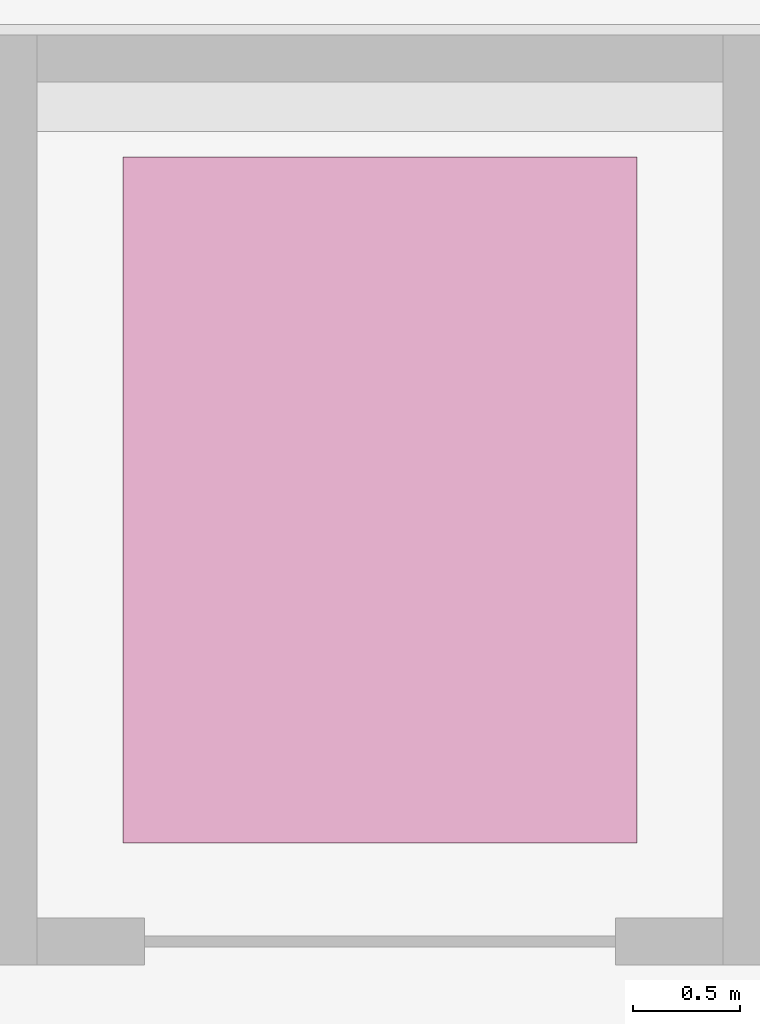
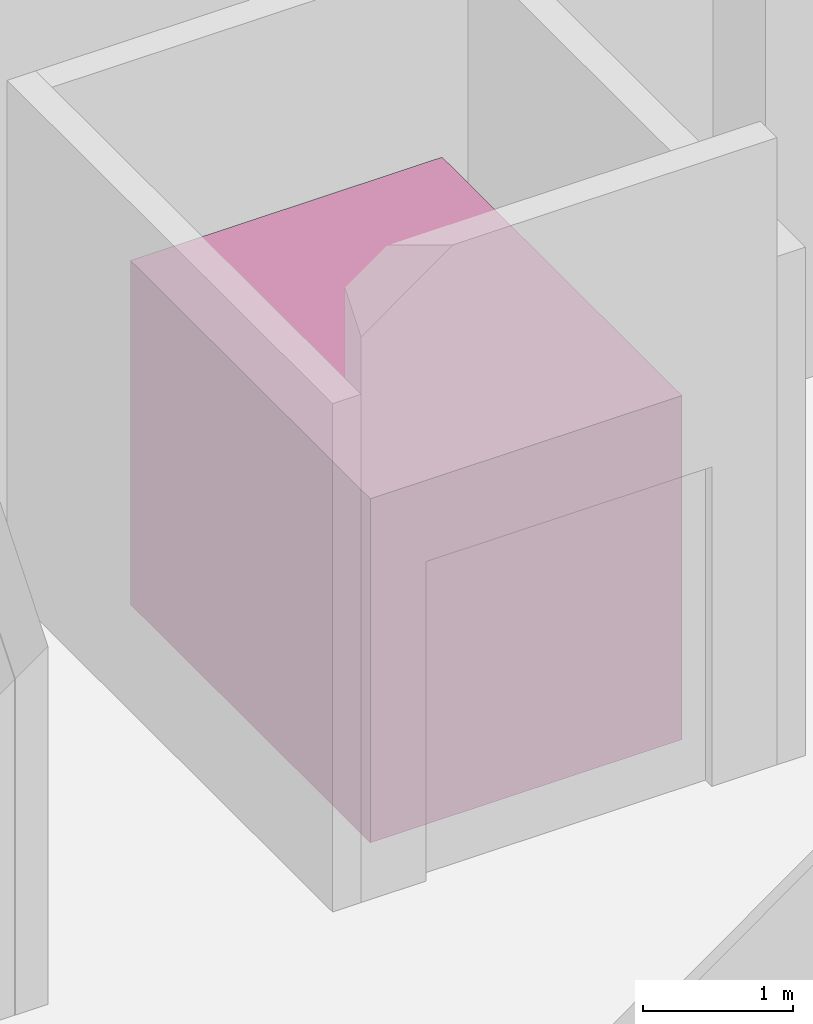
# One storey, part 372 of 372: 1 transport element.
"""IFC4 building model written with IfcOpenShell, lengths in metres."""

from ifc_helpers import new_model, si_unit, direction, frame, origin, origin_2d, place, context, subcontext, project, spatial, rectangle, extrude, material, type_object, element, save


model = new_model("IFC4")

# Units and contexts
model_context = context("Model", 3, precision=1e-05, world=origin(), true_north=direction((0.0, 1.0)))
body_context = subcontext(model_context, "Body", "Model", "MODEL_VIEW")
ifc_project = project(units=[si_unit("LENGTHUNIT", "METRE"), si_unit("AREAUNIT", "SQUARE_METRE"), si_unit("VOLUMEUNIT", "CUBIC_METRE"), si_unit("PLANEANGLEUNIT", "RADIAN"), si_unit("MASSUNIT", "GRAM", prefix="KILO")], contexts=[model_context])

# Site, building, storey
site_placement = place(None, origin())
site = spatial("IfcSite", under=ifc_project, at=site_placement, CompositionType="ELEMENT")
building_placement = place(site_placement, origin())
building = spatial("IfcBuilding", under=site, at=building_placement, Name="Kaelora Sail Theatre", CompositionType="ELEMENT")
storey_placement = place(building_placement, origin())
storey = spatial("IfcBuildingStorey", under=building, at=storey_placement, Name="L00", CompositionType="ELEMENT", Elevation=0.0)

# Transport element
ifc_material = material(Name="Heavy scenery freight lift car (2400x3200 mm, 4000 kg)", Category="steel")
transport_element_type = type_object("IfcTransportElementType", Name="ARC-LFT-GDS", PredefinedType="ELEVATOR", material=ifc_material)
transport_element_placement = place(storey_placement, frame((110.85009765625, 96.25, 0.0), z_axis=(0.0, 0.0, 1.0), x_axis=(1.0, 0.0, 0.0)))
element("IfcTransportElement", 1, at=transport_element_placement, inside=storey, type_object=transport_element_type, Name="Lift GL-01 car", PredefinedType="ELEVATOR", context=body_context, shape_type="SweptSolid", body=[
    extrude(rectangle(XDim=2.39990234375, YDim=3.199951171875, at=origin_2d()), origin(), (0.0, 0.0, 1.0), 2.800048828125),
])

save(model, "model.ifc")
